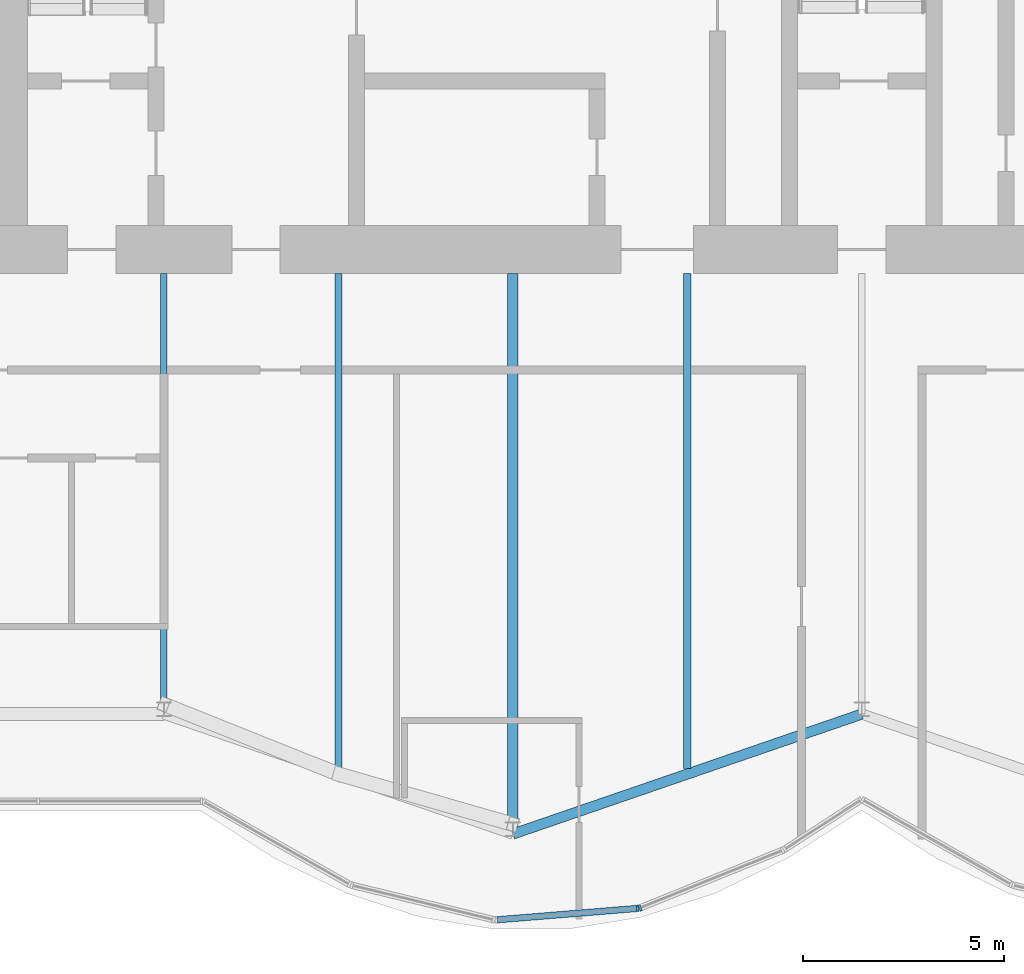
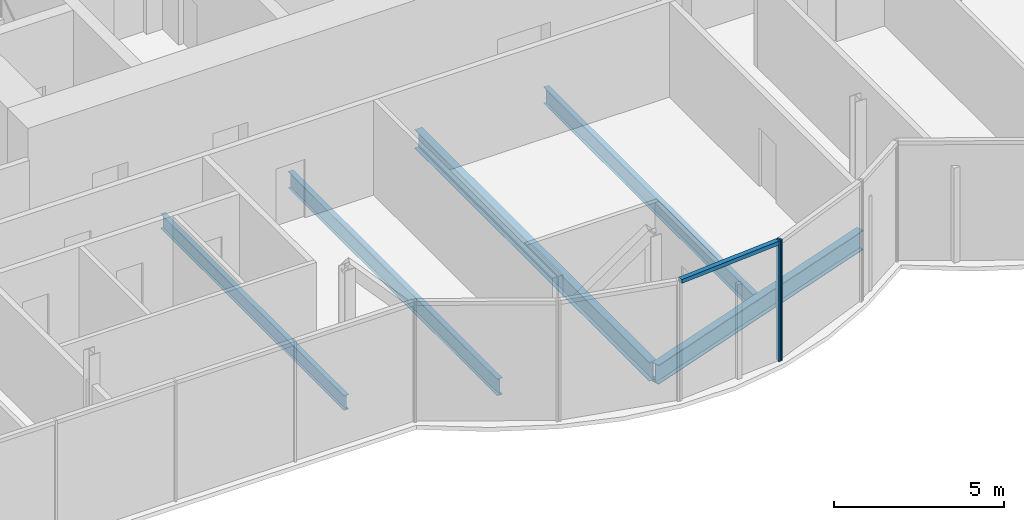
# One storey, part 6 of 18: 5 beams, 3 members, 1 element without a shape of its own.
"""IFC4 building model written with IfcOpenShell, lengths in metres."""

from ifc_helpers import new_model, si_unit, direction, frame, origin, origin_2d, place, context, subcontext, project, spatial, rectangle, i_section, extrude, material, material_profile, profile_set, type_object, element, aggregate, save


model = new_model("IFC4")

# Units and contexts
model_context = context("Model", 3, precision=1e-05, world=origin(), true_north=direction((0.0, 1.0)))
body_context = subcontext(model_context, "Body", "Model", "MODEL_VIEW")
ifc_project = project(units=[si_unit("LENGTHUNIT", "METRE"), si_unit("AREAUNIT", "SQUARE_METRE"), si_unit("VOLUMEUNIT", "CUBIC_METRE"), si_unit("PLANEANGLEUNIT", "RADIAN"), si_unit("MASSUNIT", "GRAM", prefix="KILO")], contexts=[model_context])

# Site, building, storey
site_placement = place(None, origin())
site = spatial("IfcSite", under=ifc_project, at=site_placement, CompositionType="ELEMENT")
building_placement = place(site_placement, origin())
building = spatial("IfcBuilding", under=site, at=building_placement, Name="Bicima Exchange Tower", CompositionType="ELEMENT")
storey_placement = place(building_placement, frame((0.0, 0.0, 311.0)))
storey = spatial("IfcBuildingStorey", under=building, at=storey_placement, Name="L70", CompositionType="ELEMENT", Elevation=311.0)

# Beams
ifc_material_1 = material(Name="Steel ASTM A992 Gr 50", Category="steel")
ifc_material_profile_1 = material_profile(ifc_material_1, i_section(OverallWidth=0.165771484375, OverallDepth=0.5283203125, WebThickness=0.009765625, FlangeThickness=0.013671875, at=origin_2d()))
ifc_profile_set_1 = profile_set([ifc_material_profile_1], Name="Steel ASTM A992 Gr 50")
beam_type_1 = type_object("IfcBeamType", Name="Floor beam W21x50", PredefinedType="JOIST", material=ifc_profile_set_1)
beam_1_placement = place(storey_placement, frame((-17.39990234375, -13.0, -0.414306640625), z_axis=(0.0, -1.0, 0.0), x_axis=(1.0, 0.0, 0.0)))
element("IfcBeam", 1, at=beam_1_placement, inside=storey, type_object=beam_type_1, Name="Floor beam", PredefinedType="JOIST", context=body_context, shape_type="SweptSolid", body=[
    extrude(i_section(OverallWidth=0.165771484375, OverallDepth=0.5283203125, WebThickness=0.009765625, FlangeThickness=0.013671875, at=origin_2d()), origin(), (0.0, 0.0, 1.0), 10.8212890625),
])
ifc_material_profile_2 = material_profile(ifc_material_1, i_section(OverallWidth=0.177978515625, OverallDepth=0.599365234375, WebThickness=0.010009765625, FlangeThickness=0.012939453125, at=origin_2d()))
ifc_profile_set_2 = profile_set([ifc_material_profile_2], Name="Steel ASTM A992 Gr 50")
beam_type_2 = type_object("IfcBeamType", Name="Floor beam W24x55", PredefinedType="JOIST", material=ifc_profile_set_2)
for number, where, z_axis, x_axis, name in (
    (2, (-13.050048828125, -13.0, -0.44970703125), (0.0, -1.0, 0.0), (1.0, 0.0, 0.0), "Floor beam"),
    (3, (-4.35009765625, -13.0, -0.44970703125), (0.0, -1.0, 0.0), (1.0, 0.0, 0.0), "Floor beam"),
):
    element("IfcBeam", number, at=place(storey_placement, frame(where, z_axis=z_axis, x_axis=x_axis)), inside=storey, type_object=beam_type_2, Name=name, PredefinedType="JOIST", context=body_context, shape_type="SweptSolid", body=[
        extrude(i_section(OverallWidth=0.177978515625, OverallDepth=0.599365234375, WebThickness=0.010009765625, FlangeThickness=0.012939453125, at=origin_2d()), origin(), (0.0, 0.0, 1.0), 12.343994140625),
    ])
ifc_material_profile_3 = material_profile(ifc_material_1, i_section(OverallWidth=0.25390625, OverallDepth=0.67822265625, WebThickness=0.01171875, FlangeThickness=0.016357421875, at=origin_2d()))
ifc_profile_set_3 = profile_set([ifc_material_profile_3], Name="Steel ASTM A992 Gr 50")
beam_type_3 = type_object("IfcBeamType", Name="Floor beam W27x84", PredefinedType="JOIST", material=ifc_profile_set_3)
beam_2_placement = place(storey_placement, frame((-8.699951171875, -13.0, -0.489013671875), z_axis=(0.0, -1.0, 0.0), x_axis=(1.0, 0.0, 0.0)))
element("IfcBeam", 4, at=beam_2_placement, inside=storey, type_object=beam_type_3, Name="Floor beam", PredefinedType="JOIST", context=body_context, shape_type="SweptSolid", body=[
    extrude(i_section(OverallWidth=0.25390625, OverallDepth=0.67822265625, WebThickness=0.01171875, FlangeThickness=0.016357421875, at=origin_2d()), origin(), (0.0, 0.0, 1.0), 13.83935546875),
])
ifc_material_profile_4 = material_profile(ifc_material_1, i_section(OverallWidth=0.256591796875, OverallDepth=0.693359375, WebThickness=0.014404296875, FlangeThickness=0.023681640625, at=origin_2d()))
ifc_profile_set_4 = profile_set([ifc_material_profile_4], Name="Steel ASTM A992 Gr 50")
beam_type_4 = type_object("IfcBeamType", Name="Front girder W27x114", PredefinedType="BEAM", material=ifc_profile_set_4)
beam_3_placement = place(storey_placement, frame((-8.699951171875, -26.97509765625, -0.49658203125), z_axis=(0.945666456746, 0.325138359143, 0.0), x_axis=(-0.325138359143, 0.945666456746, 0.0)))
element("IfcBeam", 5, at=beam_3_placement, inside=storey, type_object=beam_type_4, Name="Front girder", PredefinedType="BEAM", context=body_context, shape_type="SweptSolid", body=[
    extrude(i_section(OverallWidth=0.256591796875, OverallDepth=0.693359375, WebThickness=0.014404296875, FlangeThickness=0.023681640625, at=origin_2d()), origin(), (0.0, 0.0, 1.0), 9.19970703125),
])

# Curtain wall, members
ifc_material_2 = material(Name="Anodised bronze aluminium", Category="aluminium")
curtain_wall_type = type_object("IfcCurtainWallType", Name="Front glass wall", PredefinedType="NOTDEFINED", material=ifc_material_2)
curtain_wall_placement = place(storey_placement, origin())
curtain_wall = element("IfcCurtainWall", 6, at=curtain_wall_placement, inside=storey, type_object=curtain_wall_type, Name="Front glass wall L70 run 6", PredefinedType="NOTDEFINED")
ifc_material_profile_5 = material_profile(ifc_material_2, rectangle(XDim=0.159912109375, YDim=0.06005859375, at=origin_2d()))
ifc_profile_set_5 = profile_set([ifc_material_profile_5], Name="Anodised bronze aluminium")
member_type_1 = type_object("IfcMemberType", Name="Front glass wall mullion 60 x 160", PredefinedType="MULLION", material=ifc_profile_set_5)
member_1_placement = place(storey_placement, frame((-5.583984375, -28.828857421875, 0.0), z_axis=(0.0, 0.0, 1.0), x_axis=(-0.080588612633, 0.99674744821, 0.0)))
member_1 = element("IfcMember", 7, at=member_1_placement, type_object=member_type_1, Name="Front glass wall mullion 2", PredefinedType="MULLION", context=body_context, shape_type="SweptSolid", body=[
    extrude(rectangle(XDim=0.159912109375, YDim=0.06005859375, at=origin_2d()), origin(), (0.0, 0.0, 1.0), 4.35009765625),
])
member_2_placement = place(storey_placement, frame((-5.526123046875, -28.815185546875, 0.0), z_axis=(0.0, 0.0, 1.0), x_axis=(-0.374705304, 0.92714396679, 0.0)))
member_2 = element("IfcMember", 8, at=member_2_placement, type_object=member_type_1, Name="Front glass wall mullion 1", PredefinedType="MULLION", context=body_context, shape_type="SweptSolid", body=[
    extrude(rectangle(XDim=0.159912109375, YDim=0.06005859375, at=origin_2d()), origin(), (0.0, 0.0, 1.0), 4.35009765625),
])
ifc_material_profile_6 = material_profile(ifc_material_2, rectangle(XDim=0.159912109375, YDim=0.139892578125, at=origin_2d()))
ifc_profile_set_6 = profile_set([ifc_material_profile_6], Name="Anodised bronze aluminium")
member_type_2 = type_object("IfcMemberType", Name="Front glass wall transom 140 x 160", PredefinedType="USERDEFINED", material=ifc_profile_set_6)
member_3_placement = place(storey_placement, frame((-9.08837890625, -29.1123046875, 4.280029296875), z_axis=(0.9967456465, 0.080610893699, 0.0), x_axis=(-0.080610893699, 0.9967456465, 0.0)))
member_3 = element("IfcMember", 9, at=member_3_placement, type_object=member_type_2, Name="Front glass wall transom 1.1", ObjectType="TRANSOM", PredefinedType="USERDEFINED", context=body_context, shape_type="SweptSolid", body=[
    extrude(rectangle(XDim=0.159912109375, YDim=0.139892578125, at=origin_2d()), origin(), (0.0, 0.0, 1.0), 3.48583984375),
])
aggregate(curtain_wall, [member_1, member_3, member_2])

save(model, "model.ifc")
